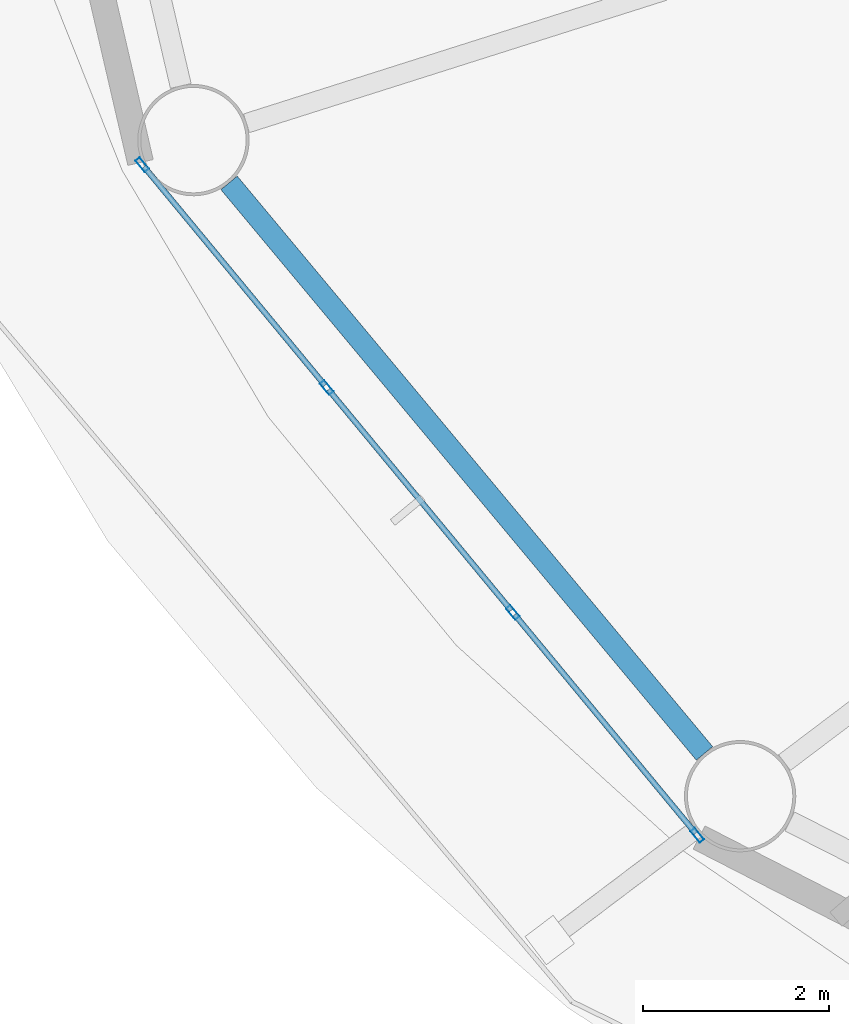
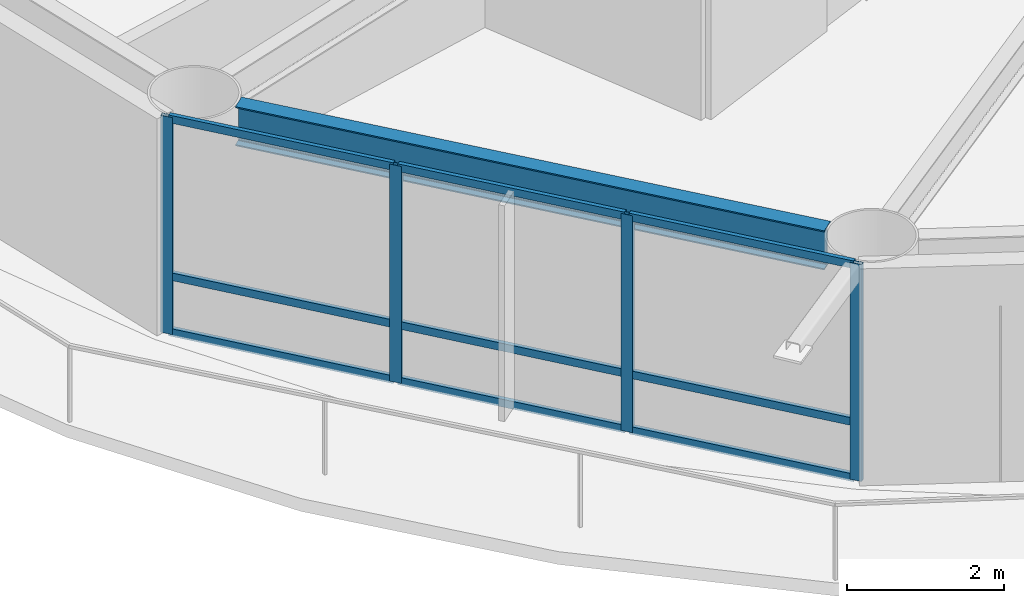
# One storey, part 2 of 24: 13 members, 1 beam, 1 element without a shape of its own.
"""IFC4 building model written with IfcOpenShell, lengths in metres."""

from ifc_helpers import new_model, si_unit, direction, frame, origin, origin_2d, place, context, subcontext, project, spatial, hollow_rectangle, i_section, extrude, material, layer, layer_set, material_profile, profile_set, type_object, element, aggregate, save


model = new_model("IFC4")

# Units and contexts
model_context = context("Model", 3, precision=1e-05, world=origin(), true_north=direction((0.0, 1.0)))
body_context = subcontext(model_context, "Body", "Model", "MODEL_VIEW")
ifc_project = project(units=[si_unit("LENGTHUNIT", "METRE"), si_unit("AREAUNIT", "SQUARE_METRE"), si_unit("VOLUMEUNIT", "CUBIC_METRE"), si_unit("PLANEANGLEUNIT", "RADIAN"), si_unit("MASSUNIT", "GRAM", prefix="KILO")], contexts=[model_context])

# Site, building, storey
site_placement = place(None, origin())
site = spatial("IfcSite", under=ifc_project, at=site_placement, CompositionType="ELEMENT")
building_placement = place(site_placement, origin())
building = spatial("IfcBuilding", under=site, at=building_placement, Name="Sarneth Arch Tower", CompositionType="ELEMENT")
storey_placement = place(building_placement, frame((0.0, 0.0, 109.199951171875)))
storey = spatial("IfcBuildingStorey", under=building, at=storey_placement, Name="L27", CompositionType="ELEMENT", Elevation=109.199951171875)

# Beam
ifc_material_1 = material(Name="Steel S355", Category="steel")
ifc_material_profile_1 = material_profile(ifc_material_1, i_section(OverallWidth=0.22900390625, OverallDepth=0.612060546875, WebThickness=0.011962890625, FlangeThickness=0.01953125, FilletRadius=0.01904296875, at=origin_2d()), Name="W610x125")
ifc_profile_set_1 = profile_set([ifc_material_profile_1], Name="Steel S355")
beam_type = type_object("IfcBeamType", Name="BM-SPAN-610C", PredefinedType="SPANDREL", material=ifc_profile_set_1)
beam_placement = place(storey_placement, frame((22.093017578125, 33.196533203125, 3.073974609375), z_axis=(0.640163403463, -0.768238775946, 0.0), x_axis=(0.768238775946, 0.640163403463, 0.0)))
element("IfcBeam", 1, at=beam_placement, inside=storey, type_object=beam_type, Name="L27 Perimeter spandrel beam 10", PredefinedType="SPANDREL", context=body_context, shape_type="SweptSolid", body=[
    extrude(i_section(OverallWidth=0.22900390625, OverallDepth=0.612060546875, WebThickness=0.011962890625, FlangeThickness=0.01953125, FilletRadius=0.01904296875, at=origin_2d()), origin(), (0.0, 0.0, 1.0), 8.006103515625),
])

# Curtain wall, members
ifc_material_2 = material(Name="Anodised aluminium Type AA25 and solar-control low-e laminated IGU", Category="aluminium")
ifc_layer = layer(ifc_material_2, 0.159912109375)
ifc_layer_set = layer_set([ifc_layer], Name="Anodised aluminium Type AA25 and solar-control low-e laminated IGU")
curtain_wall_type = type_object("IfcCurtainWallType", Name="CW-HOTEL-MID", PredefinedType="NOTDEFINED", material=ifc_layer_set)
curtain_wall_placement = place(storey_placement, origin())
curtain_wall = element("IfcCurtainWall", 2, at=curtain_wall_placement, inside=storey, type_object=curtain_wall_type, Name="L27 Unitised curtain wall facet 10", PredefinedType="NOTDEFINED")
ifc_material_3 = material(Name="Anodised Aluminium 6063-T6", Category="aluminium")
ifc_material_profile_2 = material_profile(ifc_material_3, hollow_rectangle(XDim=0.06005859375, YDim=0.159912109375, WallThickness=0.00390625, at=origin_2d()), Name="AL-MULL-160x60x4")
ifc_profile_set_2 = profile_set([ifc_material_profile_2], Name="Anodised Aluminium 6063-T6")
member_type_1 = type_object("IfcMemberType", Name="CW-MULLION", PredefinedType="MULLION", material=ifc_profile_set_2)
member_1_placement = place(storey_placement, frame((21.15771484375, 33.393310546875, 0.0), z_axis=(0.0, 0.0, 1.0), x_axis=(0.770437787363, 0.637515188684, 0.0)))
member_1 = element("IfcMember", 3, at=member_1_placement, type_object=member_type_1, Name="CW-SYS-4 mullion 1", PredefinedType="MULLION", context=body_context, shape_type="SweptSolid", body=[
    extrude(hollow_rectangle(XDim=0.06005859375, YDim=0.159912109375, WallThickness=0.00390625, at=origin_2d()), origin(), (0.0, 0.0, 1.0), 3.380126953125),
])
member_2_placement = place(storey_placement, frame((23.145751953125, 30.99072265625, 0.0), z_axis=(0.0, 0.0, 1.0), x_axis=(0.770437787363, 0.637515188684, 0.0)))
member_2 = element("IfcMember", 4, at=member_2_placement, type_object=member_type_1, Name="CW-SYS-4 mullion 2", PredefinedType="MULLION", context=body_context, shape_type="SweptSolid", body=[
    extrude(hollow_rectangle(XDim=0.06005859375, YDim=0.159912109375, WallThickness=0.00390625, at=origin_2d()), origin(), (0.0, 0.0, 1.0), 3.380126953125),
])
member_3_placement = place(storey_placement, frame((25.15283203125, 28.565185546875, 0.0), z_axis=(0.0, 0.0, 1.0), x_axis=(0.770437787363, 0.637515188684, 0.0)))
member_3 = element("IfcMember", 5, at=member_3_placement, type_object=member_type_1, Name="CW-SYS-4 mullion 3", PredefinedType="MULLION", context=body_context, shape_type="SweptSolid", body=[
    extrude(hollow_rectangle(XDim=0.06005859375, YDim=0.159912109375, WallThickness=0.00390625, at=origin_2d()), origin(), (0.0, 0.0, 1.0), 3.380126953125),
])
member_4_placement = place(storey_placement, frame((27.140869140625, 26.16259765625, 0.0), z_axis=(0.0, 0.0, 1.0), x_axis=(0.770437787363, 0.637515188684, 0.0)))
member_4 = element("IfcMember", 6, at=member_4_placement, type_object=member_type_1, Name="CW-SYS-4 mullion 4", PredefinedType="MULLION", context=body_context, shape_type="SweptSolid", body=[
    extrude(hollow_rectangle(XDim=0.06005859375, YDim=0.159912109375, WallThickness=0.00390625, at=origin_2d()), origin(), (0.0, 0.0, 1.0), 3.380126953125),
])
ifc_material_4 = material(Name="Anodised Aluminium 6063-T6", Category="aluminium")
ifc_material_profile_3 = material_profile(ifc_material_4, hollow_rectangle(XDim=0.06005859375, YDim=0.1201171875, WallThickness=0.00390625, at=origin_2d()), Name="AL-TRAN-120x60x4")
ifc_profile_set_3 = profile_set([ifc_material_profile_3], Name="Anodised Aluminium 6063-T6")
member_type_2 = type_object("IfcMemberType", Name="CW-TRANSOM", PredefinedType="USERDEFINED", material=ifc_profile_set_3)
member_5_placement = place(storey_placement, frame((21.1767578125, 33.3701171875, 0.030029296875), z_axis=(0.637566080343, -0.770395673142, 0.0), x_axis=(0.770395673142, 0.637566080343, 0.0)))
member_5 = element("IfcMember", 7, at=member_5_placement, type_object=member_type_2, Name="CW-SYS-4 transom 1.1", ObjectType="TRANSOM", PredefinedType="USERDEFINED", context=body_context, shape_type="SweptSolid", body=[
    extrude(hollow_rectangle(XDim=0.06005859375, YDim=0.1201171875, WallThickness=0.00390625, at=origin_2d()), origin(), (0.0, 0.0, 1.0), 3.058349609375),
])
member_6_placement = place(storey_placement, frame((21.1767578125, 33.3701171875, 0.900146484375), z_axis=(0.637566080343, -0.770395673142, 0.0), x_axis=(0.770395673142, 0.637566080343, 0.0)))
member_6 = element("IfcMember", 8, at=member_6_placement, type_object=member_type_2, Name="CW-SYS-4 transom 1.2", ObjectType="TRANSOM", PredefinedType="USERDEFINED", context=body_context, shape_type="SweptSolid", body=[
    extrude(hollow_rectangle(XDim=0.06005859375, YDim=0.1201171875, WallThickness=0.00390625, at=origin_2d()), origin(), (0.0, 0.0, 1.0), 3.058349609375),
])
member_7_placement = place(storey_placement, frame((21.1767578125, 33.3701171875, 3.35009765625), z_axis=(0.637566080343, -0.770395673142, 0.0), x_axis=(0.770395673142, 0.637566080343, 0.0)))
member_7 = element("IfcMember", 9, at=member_7_placement, type_object=member_type_2, Name="CW-SYS-4 transom 1.3", ObjectType="TRANSOM", PredefinedType="USERDEFINED", context=body_context, shape_type="SweptSolid", body=[
    extrude(hollow_rectangle(XDim=0.06005859375, YDim=0.1201171875, WallThickness=0.00390625, at=origin_2d()), origin(), (0.0, 0.0, 1.0), 3.058349609375),
])
member_8_placement = place(storey_placement, frame((23.164794921875, 30.9677734375, 0.030029296875), z_axis=(0.637536975021, -0.770419759275, 0.0), x_axis=(0.770419759275, 0.637536975021, 0.0)))
member_8 = element("IfcMember", 10, at=member_8_placement, type_object=member_type_2, Name="CW-SYS-4 transom 2.1", ObjectType="TRANSOM", PredefinedType="USERDEFINED", context=body_context, shape_type="SweptSolid", body=[
    extrude(hollow_rectangle(XDim=0.06005859375, YDim=0.1201171875, WallThickness=0.00390625, at=origin_2d()), origin(), (0.0, 0.0, 1.0), 3.08837890625),
])
member_9_placement = place(storey_placement, frame((23.164794921875, 30.9677734375, 0.900146484375), z_axis=(0.637536975021, -0.770419759275, 0.0), x_axis=(0.770419759275, 0.637536975021, 0.0)))
member_9 = element("IfcMember", 11, at=member_9_placement, type_object=member_type_2, Name="CW-SYS-4 transom 2.2", ObjectType="TRANSOM", PredefinedType="USERDEFINED", context=body_context, shape_type="SweptSolid", body=[
    extrude(hollow_rectangle(XDim=0.06005859375, YDim=0.1201171875, WallThickness=0.00390625, at=origin_2d()), origin(), (0.0, 0.0, 1.0), 3.08837890625),
])
member_10_placement = place(storey_placement, frame((23.164794921875, 30.9677734375, 3.35009765625), z_axis=(0.637536975021, -0.770419759275, 0.0), x_axis=(0.770419759275, 0.637536975021, 0.0)))
member_10 = element("IfcMember", 12, at=member_10_placement, type_object=member_type_2, Name="CW-SYS-4 transom 2.3", ObjectType="TRANSOM", PredefinedType="USERDEFINED", context=body_context, shape_type="SweptSolid", body=[
    extrude(hollow_rectangle(XDim=0.06005859375, YDim=0.1201171875, WallThickness=0.00390625, at=origin_2d()), origin(), (0.0, 0.0, 1.0), 3.08837890625),
])
member_11_placement = place(storey_placement, frame((25.171875, 28.5419921875, 0.030029296875), z_axis=(0.637566080343, -0.770395673142, 0.0), x_axis=(0.770395673142, 0.637566080343, 0.0)))
member_11 = element("IfcMember", 13, at=member_11_placement, type_object=member_type_2, Name="CW-SYS-4 transom 3.1", ObjectType="TRANSOM", PredefinedType="USERDEFINED", context=body_context, shape_type="SweptSolid", body=[
    extrude(hollow_rectangle(XDim=0.06005859375, YDim=0.1201171875, WallThickness=0.00390625, at=origin_2d()), origin(), (0.0, 0.0, 1.0), 3.058349609375),
])
member_12_placement = place(storey_placement, frame((25.171875, 28.5419921875, 0.900146484375), z_axis=(0.637566080343, -0.770395673142, 0.0), x_axis=(0.770395673142, 0.637566080343, 0.0)))
member_12 = element("IfcMember", 14, at=member_12_placement, type_object=member_type_2, Name="CW-SYS-4 transom 3.2", ObjectType="TRANSOM", PredefinedType="USERDEFINED", context=body_context, shape_type="SweptSolid", body=[
    extrude(hollow_rectangle(XDim=0.06005859375, YDim=0.1201171875, WallThickness=0.00390625, at=origin_2d()), origin(), (0.0, 0.0, 1.0), 3.058349609375),
])
member_13_placement = place(storey_placement, frame((25.171875, 28.5419921875, 3.35009765625), z_axis=(0.637566080343, -0.770395673142, 0.0), x_axis=(0.770395673142, 0.637566080343, 0.0)))
member_13 = element("IfcMember", 15, at=member_13_placement, type_object=member_type_2, Name="CW-SYS-4 transom 3.3", ObjectType="TRANSOM", PredefinedType="USERDEFINED", context=body_context, shape_type="SweptSolid", body=[
    extrude(hollow_rectangle(XDim=0.06005859375, YDim=0.1201171875, WallThickness=0.00390625, at=origin_2d()), origin(), (0.0, 0.0, 1.0), 3.058349609375),
])
aggregate(curtain_wall, [member_1, member_2, member_3, member_4, member_5, member_6, member_7, member_8, member_9, member_10, member_11, member_12, member_13])

save(model, "model.ifc")
